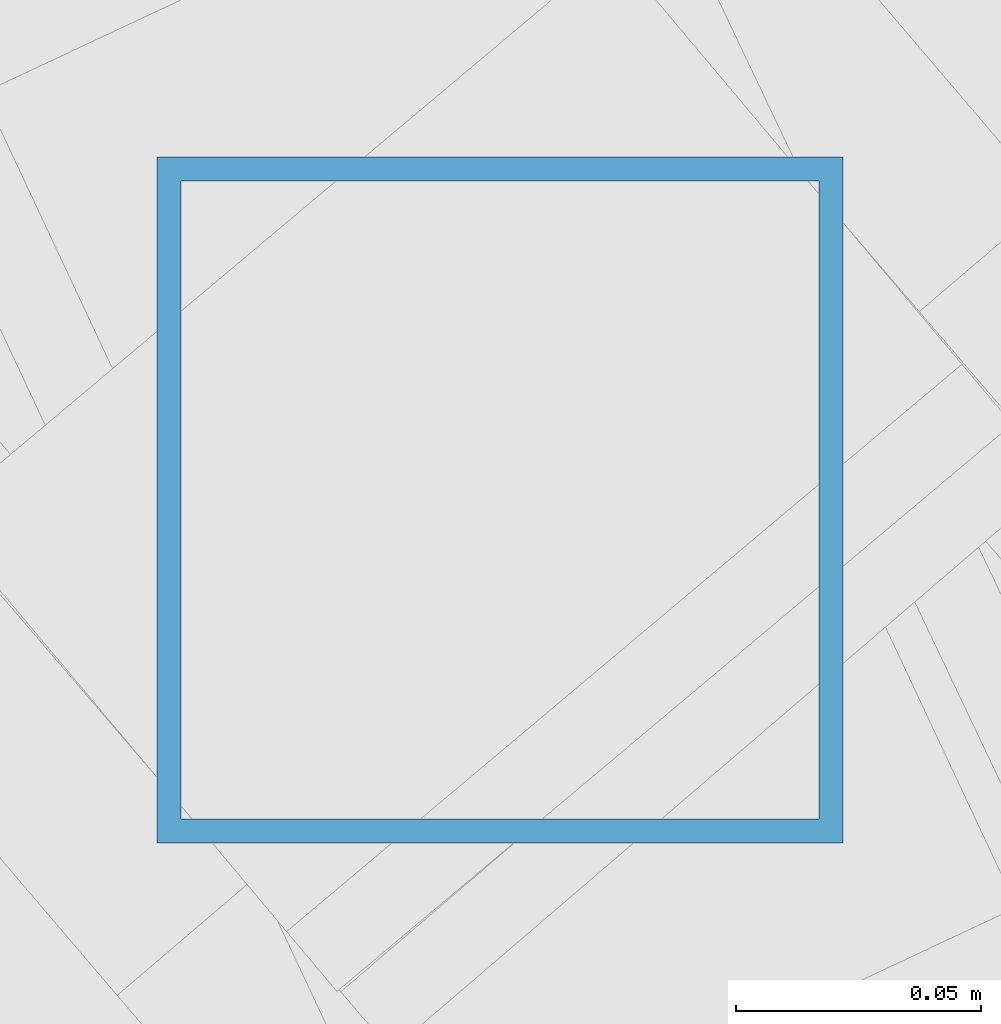
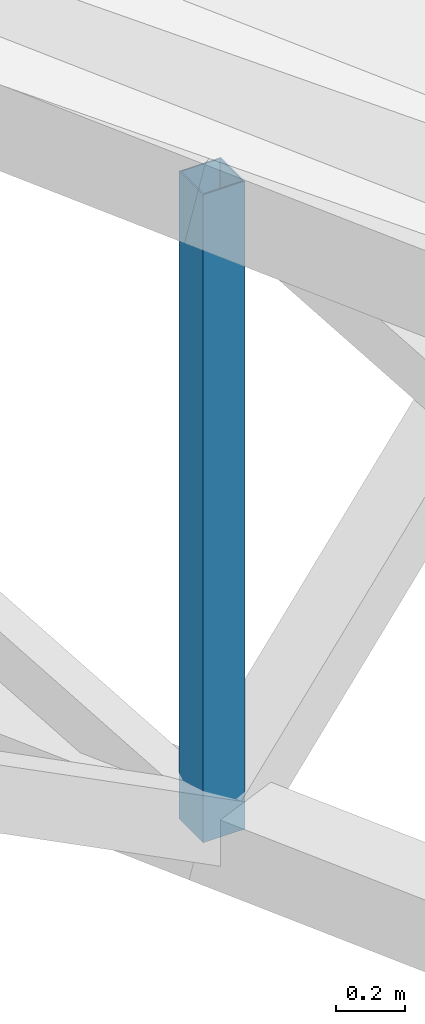
# One storey, part 135 of 344: 1 member.
"""IFC4 building model written with IfcOpenShell, lengths in metres."""

from ifc_helpers import new_model, si_unit, direction, frame, origin, origin_2d, place, context, subcontext, project, spatial, hollow_rectangle, extrude, material, material_profile, profile_set, type_object, element, save


model = new_model("IFC4")

# Units and contexts
model_context = context("Model", 3, precision=1e-05, world=origin(), true_north=direction((0.0, 1.0)))
body_context = subcontext(model_context, "Body", "Model", "MODEL_VIEW")
ifc_project = project(units=[si_unit("LENGTHUNIT", "METRE"), si_unit("AREAUNIT", "SQUARE_METRE"), si_unit("VOLUMEUNIT", "CUBIC_METRE"), si_unit("PLANEANGLEUNIT", "RADIAN"), si_unit("MASSUNIT", "GRAM", prefix="KILO")], contexts=[model_context])

# Site, building, storey
site_placement = place(None, origin())
site = spatial("IfcSite", under=ifc_project, at=site_placement, CompositionType="ELEMENT")
building_placement = place(site_placement, origin())
building = spatial("IfcBuilding", under=site, at=building_placement, Name="Meseta Stadium", CompositionType="ELEMENT")
storey_placement = place(building_placement, frame((0.0, 0.0, 24.0)))
storey = spatial("IfcBuildingStorey", under=building, at=storey_placement, Name="L04", CompositionType="ELEMENT", Elevation=24.0)

# Member
ifc_material = material(Name="Steel S355", Category="steel")
ifc_material_profile = material_profile(ifc_material, hollow_rectangle(XDim=0.139892578125, YDim=0.139892578125, WallThickness=0.0048828125, at=origin_2d()), Name="SHS 140x140x5")
ifc_profile_set = profile_set([ifc_material_profile], Name="Steel S355")
member_type = type_object("IfcMemberType", Name="SHS 140x140x5 post", PredefinedType="POST", material=ifc_profile_set)
member_placement = place(storey_placement, frame((-39.99169921875, 70.005859375, 0.01123046875), z_axis=(0.0, 0.0, 1.0), x_axis=(1.0, 0.0, 0.0)))
element("IfcMember", 1, at=member_placement, inside=storey, type_object=member_type, Name="ROOF TRUSS RT-23 post", PredefinedType="POST", context=body_context, shape_type="SweptSolid", body=[
    extrude(hollow_rectangle(XDim=0.139892578125, YDim=0.139892578125, WallThickness=0.0048828125, at=origin_2d()), origin(), (0.0, 0.0, 1.0), 2.300048828125),
])

save(model, "model.ifc")
